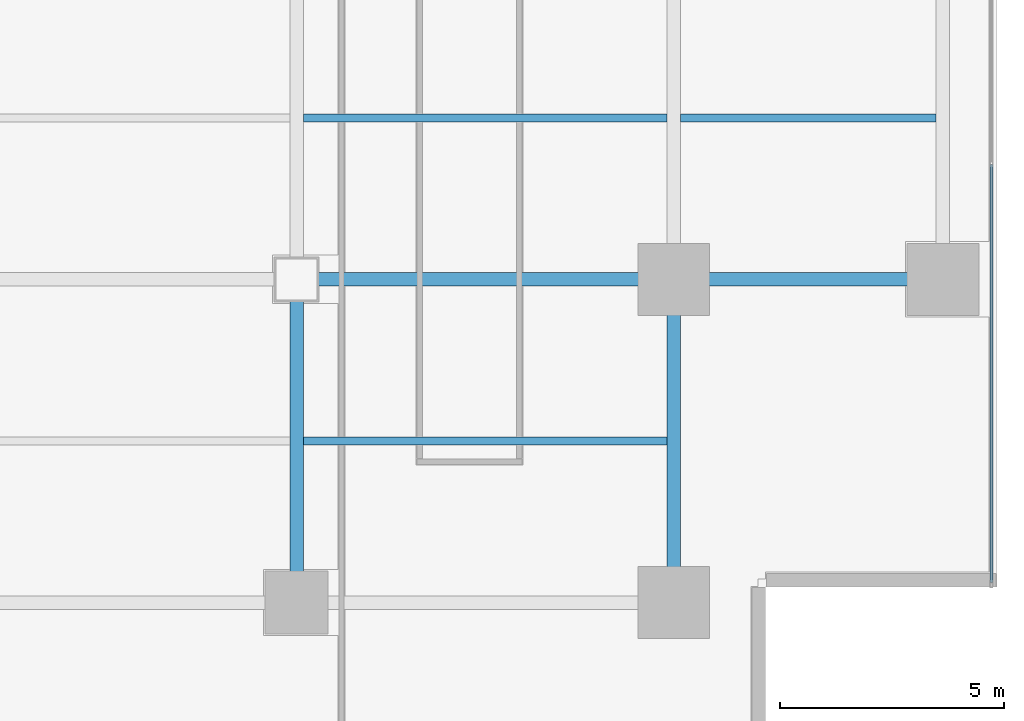
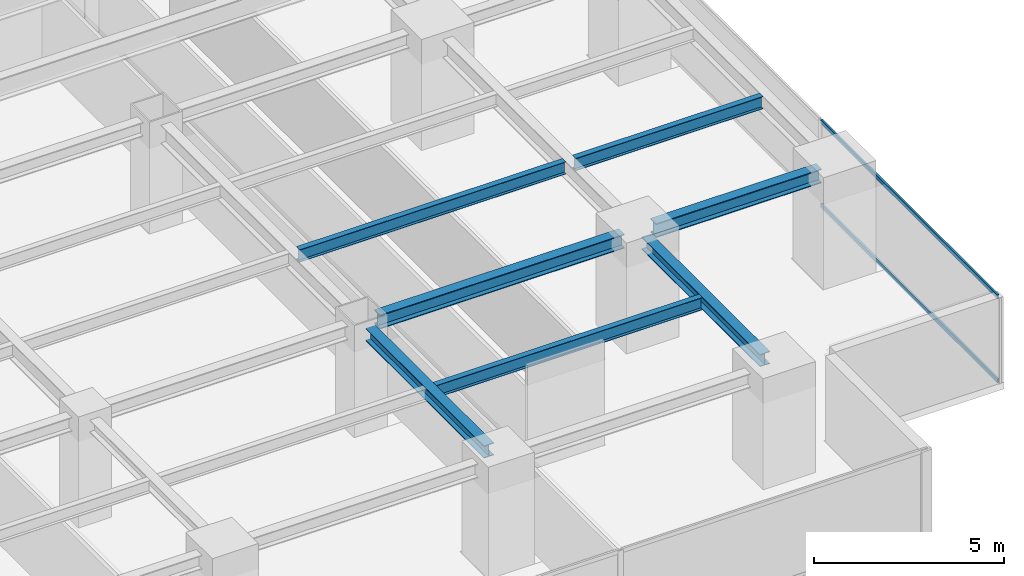
# One storey, part 10 of 27: 7 beams, 2 members, 1 element without a shape of its own.
"""IFC4 building model written with IfcOpenShell, lengths in metres."""

from ifc_helpers import new_model, si_unit, direction, frame, origin, origin_2d, place, context, subcontext, project, spatial, hollow_rectangle, i_section, extrude, source, transform, mapped, material, layer, layer_set, material_profile, profile_set, type_object, element, aggregate, save


model = new_model("IFC4")

# Units and contexts
model_context = context("Model", 3, precision=1e-05, world=origin(), true_north=direction((0.0, 1.0)))
body_context = subcontext(model_context, "Body", "Model", "MODEL_VIEW")
ifc_project = project(units=[si_unit("LENGTHUNIT", "METRE"), si_unit("AREAUNIT", "SQUARE_METRE"), si_unit("VOLUMEUNIT", "CUBIC_METRE"), si_unit("PLANEANGLEUNIT", "RADIAN"), si_unit("MASSUNIT", "GRAM", prefix="KILO")], contexts=[model_context])

# Site, building, storey
site_placement = place(None, origin())
site = spatial("IfcSite", under=ifc_project, at=site_placement, CompositionType="ELEMENT")
building_placement = place(site_placement, origin())
building = spatial("IfcBuilding", under=site, at=building_placement, Name="Sumidabori Civic Tower", CompositionType="ELEMENT")
storey_placement = place(building_placement, frame((0.0, 0.0, 142.39990234375)))
storey = spatial("IfcBuildingStorey", under=building, at=storey_placement, Name="L36", CompositionType="ELEMENT", Elevation=142.39990234375)

# Beams
ifc_material_1 = material(Name="Steel SN490", Category="steel")
ifc_material_profile_1 = material_profile(ifc_material_1, i_section(OverallWidth=0.300048828125, OverallDepth=0.39990234375, WebThickness=0.013427734375, FlangeThickness=0.02392578125, at=origin_2d()), Name="HE 400 B")
ifc_profile_set_1 = profile_set([ifc_material_profile_1], Name="Steel SN490")
beam_type_1 = type_object("IfcBeamType", Name="BM-GIRD-400", PredefinedType="BEAM", material=ifc_profile_set_1)
shared_shape_1 = source(origin(), body_context, "Body", "SweptSolid", [
    extrude(i_section(OverallWidth=0.300048828125, OverallDepth=0.39990234375, WebThickness=0.013427734375, FlangeThickness=0.02392578125, at=origin_2d()), origin(), (0.0, 0.0, 1.0), 6.239990234375),
])
for number, where, z_axis, x_axis, name in (
    (1, (8.39990234375, -17.52001953125, 3.18017578125), (0.0, 1.0, 0.0), (-1.0, 0.0, 0.0), "Primary Girder L36 GY-30"),
    (2, (16.800048828125, -17.52001953125, 3.18017578125), (0.0, 1.0, 0.0), (-1.0, 0.0, 0.0), "Primary Girder L36 GY-32"),
):
    element("IfcBeam", number, at=place(storey_placement, frame(where, z_axis=z_axis, x_axis=x_axis)), inside=storey, type_object=beam_type_1, Name=name, PredefinedType="BEAM", context=body_context, shape_type="MappedRepresentation", body=[
        mapped(shared_shape_1, transform((0.0, 0.0, 0.0), x_axis=(1.0, 0.0, 0.0), y_axis=(0.0, 1.0, 0.0), z_axis=(0.0, 0.0, 1.0), scale=1.0)),
    ])
ifc_material_profile_2 = material_profile(ifc_material_1, i_section(OverallWidth=0.179931640625, OverallDepth=0.39990234375, WebThickness=0.008544921875, FlangeThickness=0.013427734375, at=origin_2d()), Name="IPE 400")
ifc_profile_set_2 = profile_set([ifc_material_profile_2], Name="Steel SN490")
beam_type_2 = type_object("IfcBeamType", Name="BM-JST-400", PredefinedType="JOIST", material=ifc_profile_set_2)
shared_shape_2 = source(origin(), body_context, "Body", "SweptSolid", [
    extrude(i_section(OverallWidth=0.179931640625, OverallDepth=0.39990234375, WebThickness=0.008544921875, FlangeThickness=0.013427734375, at=origin_2d()), origin(), (0.0, 0.0, 1.0), 5.699951171875),
])
beam_1_placement = place(storey_placement, frame((16.949951171875, -7.199951171875, 3.18017578125), z_axis=(1.0, 0.0, 0.0), x_axis=(0.0, 1.0, 0.0)))
element("IfcBeam", 3, at=beam_1_placement, inside=storey, type_object=beam_type_2, Name="Outer Bay Floor Joist L36 JSTO-40", PredefinedType="JOIST", context=body_context, shape_type="MappedRepresentation", body=[
    mapped(shared_shape_2, transform((0.0, 0.0, 0.0), x_axis=(1.0, 0.0, 0.0), y_axis=(0.0, 1.0, 0.0), z_axis=(0.0, 0.0, 1.0), scale=1.0)),
])
shared_shape_3 = source(origin(), body_context, "Body", "SweptSolid", [
    extrude(i_section(OverallWidth=0.179931640625, OverallDepth=0.39990234375, WebThickness=0.008544921875, FlangeThickness=0.013427734375, at=origin_2d()), origin(), (0.0, 0.0, 1.0), 8.099853515625),
])
for number, where, z_axis, x_axis, name in (
    (4, (8.550048828125, -14.39990234375, 3.18017578125), (1.0, 0.0, 0.0), (0.0, 1.0, 0.0), "South Bay Floor Joist L36 JSTS-52"),
    (5, (8.550048828125, -7.199951171875, 3.18017578125), (1.0, 0.0, 0.0), (0.0, 1.0, 0.0), "South Bay Floor Joist L36 JSTS-56"),
):
    element("IfcBeam", number, at=place(storey_placement, frame(where, z_axis=z_axis, x_axis=x_axis)), inside=storey, type_object=beam_type_2, Name=name, PredefinedType="JOIST", context=body_context, shape_type="MappedRepresentation", body=[
        mapped(shared_shape_3, transform((0.0, 0.0, 0.0), x_axis=(1.0, 0.0, 0.0), y_axis=(0.0, 1.0, 0.0), z_axis=(0.0, 0.0, 1.0), scale=1.0)),
    ])
ifc_material_profile_3 = material_profile(ifc_material_1, i_section(OverallWidth=0.300048828125, OverallDepth=0.449951171875, WebThickness=0.013916015625, FlangeThickness=0.02587890625, at=origin_2d()), Name="HE 450 B")
ifc_profile_set_3 = profile_set([ifc_material_profile_3], Name="Steel SN490")
beam_type_3 = type_object("IfcBeamType", Name="BM-GIRD-450", PredefinedType="BEAM", material=ifc_profile_set_3)
shared_shape_4 = source(origin(), body_context, "Body", "SweptSolid", [
    extrude(i_section(OverallWidth=0.300048828125, OverallDepth=0.449951171875, WebThickness=0.013916015625, FlangeThickness=0.02587890625, at=origin_2d()), origin(), (0.0, 0.0, 1.0), 7.440185546875),
])
beam_2_placement = place(storey_placement, frame((8.8798828125, -10.800048828125, 3.155029296875), z_axis=(1.0, 0.0, 0.0), x_axis=(0.0, 1.0, 0.0)))
element("IfcBeam", 6, at=beam_2_placement, inside=storey, type_object=beam_type_3, Name="Primary Girder L36 GX-09", PredefinedType="BEAM", context=body_context, shape_type="MappedRepresentation", body=[
    mapped(shared_shape_4, transform((0.0, 0.0, 0.0), x_axis=(1.0, 0.0, 0.0), y_axis=(0.0, 1.0, 0.0), z_axis=(0.0, 0.0, 1.0), scale=1.0)),
])
shared_shape_5 = source(origin(), body_context, "Body", "SweptSolid", [
    extrude(i_section(OverallWidth=0.300048828125, OverallDepth=0.449951171875, WebThickness=0.013916015625, FlangeThickness=0.02587890625, at=origin_2d()), origin(), (0.0, 0.0, 1.0), 5.0400390625),
])
beam_3_placement = place(storey_placement, frame((17.280029296875, -10.800048828125, 3.155029296875), z_axis=(1.0, 0.0, 0.0), x_axis=(0.0, 1.0, 0.0)))
element("IfcBeam", 7, at=beam_3_placement, inside=storey, type_object=beam_type_3, Name="Primary Girder L36 GX-10", PredefinedType="BEAM", context=body_context, shape_type="MappedRepresentation", body=[
    mapped(shared_shape_5, transform((0.0, 0.0, 0.0), x_axis=(1.0, 0.0, 0.0), y_axis=(0.0, 1.0, 0.0), z_axis=(0.0, 0.0, 1.0), scale=1.0)),
])

# Curtain wall, members
ifc_material_2 = material(Name="Anodised Bronze Aluminium AW-6063-T6", Category="aluminium")
ifc_layer = layer(ifc_material_2, 0.179931640625, Name="Anodised Bronze Aluminium AW-6063-T6")
ifc_layer_set = layer_set([ifc_layer], Name="Anodised Bronze Aluminium AW-6063-T6")
curtain_wall_type = type_object("IfcCurtainWallType", Name="CW-SYS-3", PredefinedType="NOTDEFINED", material=ifc_layer_set)
curtain_wall_placement = place(storey_placement, origin())
curtain_wall = element("IfcCurtainWall", 8, at=curtain_wall_placement, inside=storey, type_object=curtain_wall_type, Name="Curtain Wall CW:L36:R04", PredefinedType="NOTDEFINED")
ifc_material_profile_4 = material_profile(ifc_material_2, hollow_rectangle(XDim=0.06005859375, YDim=0.1298828125, WallThickness=0.0048828125, at=origin_2d()), Name="ALU TRANSOM 130x60")
ifc_profile_set_4 = profile_set([ifc_material_profile_4], Name="Anodised Bronze Aluminium AW-6063-T6")
member_type = type_object("IfcMemberType", Name="CW-TRN-130", PredefinedType="USERDEFINED", material=ifc_profile_set_4)
shared_shape_6 = source(origin(), body_context, "Body", "SweptSolid", [
    extrude(hollow_rectangle(XDim=0.06005859375, YDim=0.1298828125, WallThickness=0.0048828125, at=origin_2d()), origin(), (0.0, 0.0, 1.0), 9.3125),
])
member_1_placement = place(storey_placement, frame((23.8798828125, -17.554931640625, 0.030029296875), z_axis=(0.0, 1.0, 0.0), x_axis=(-1.0, 0.0, 0.0)))
member_1 = element("IfcMember", 9, at=member_1_placement, type_object=member_type, Name="CW-3 transom 1.1", ObjectType="TRANSOM", PredefinedType="USERDEFINED", context=body_context, shape_type="MappedRepresentation", body=[
    mapped(shared_shape_6, transform((0.0, 0.0, 0.0), x_axis=(1.0, 0.0, 0.0), y_axis=(0.0, 1.0, 0.0), z_axis=(0.0, 0.0, 1.0), scale=1.0)),
])
member_2_placement = place(storey_placement, frame((23.8798828125, -17.554931640625, 2.72998046875), z_axis=(0.0, 1.0, 0.0), x_axis=(-1.0, 0.0, 0.0)))
member_2 = element("IfcMember", 10, at=member_2_placement, type_object=member_type, Name="CW-3 transom 1.2", ObjectType="TRANSOM", PredefinedType="USERDEFINED", context=body_context, shape_type="MappedRepresentation", body=[
    mapped(shared_shape_6, transform((0.0, 0.0, 0.0), x_axis=(1.0, 0.0, 0.0), y_axis=(0.0, 1.0, 0.0), z_axis=(0.0, 0.0, 1.0), scale=1.0)),
])
aggregate(curtain_wall, [member_1, member_2])

save(model, "model.ifc")
